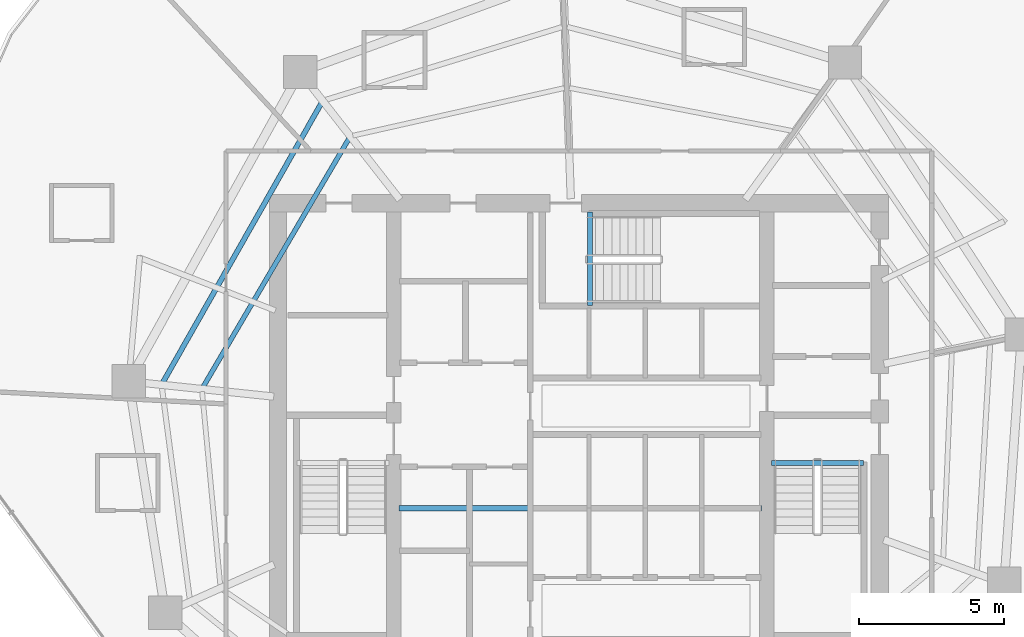
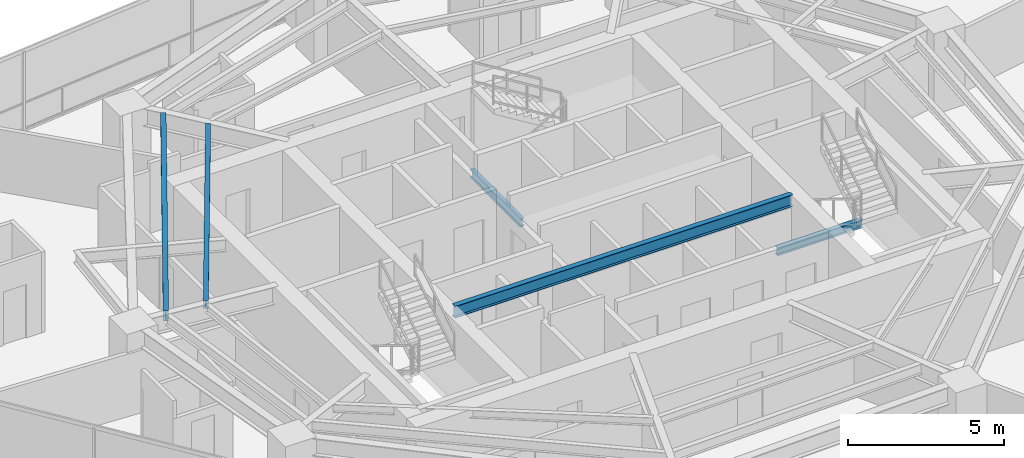
# One storey, part 9 of 30: 5 beams.
"""IFC4 building model written with IfcOpenShell, lengths in metres."""

from ifc_helpers import new_model, si_unit, direction, frame, origin, origin_2d, place, context, subcontext, project, spatial, i_section, extrude, material, material_profile, profile_set, type_object, element, save


model = new_model("IFC4")

# Units and contexts
model_context = context("Model", 3, precision=1e-05, world=origin(), true_north=direction((0.0, 1.0)))
body_context = subcontext(model_context, "Body", "Model", "MODEL_VIEW")
ifc_project = project(units=[si_unit("LENGTHUNIT", "METRE"), si_unit("AREAUNIT", "SQUARE_METRE"), si_unit("VOLUMEUNIT", "CUBIC_METRE"), si_unit("PLANEANGLEUNIT", "RADIAN"), si_unit("MASSUNIT", "GRAM", prefix="KILO")], contexts=[model_context])

# Site, building, storey
site_placement = place(None, origin())
site = spatial("IfcSite", under=ifc_project, at=site_placement, CompositionType="ELEMENT")
building_placement = place(site_placement, origin())
building = spatial("IfcBuilding", under=site, at=building_placement, Name="Qarnah Convention Tower", CompositionType="ELEMENT")
storey_placement = place(building_placement, frame((0.0, 0.0, 90.14990234375)))
storey = spatial("IfcBuildingStorey", under=building, at=storey_placement, Name="L23", CompositionType="ELEMENT", Elevation=90.14990234375)

# Beams
ifc_material = material(Name="Structural steel S355JR", Category="steel")
ifc_material_profile_1 = material_profile(ifc_material, i_section(OverallWidth=0.19189453125, OverallDepth=0.464111328125, WebThickness=0.010986328125, FlangeThickness=0.01806640625, at=origin_2d()), Name="W460X89")
ifc_profile_set_1 = profile_set([ifc_material_profile_1], Name="Structural steel S355JR")
beam_type_1 = type_object("IfcBeamType", Name="BM-CANT-W460A", PredefinedType="BEAM", material=ifc_profile_set_1)
beam_1_placement = place(storey_placement, frame((30.97998046875, 23.64990234375, 2.93798828125), z_axis=(1.0, 0.0, 0.0), x_axis=(0.0, 1.0, 0.0)))
element("IfcBeam", 1, at=beam_1_placement, inside=storey, type_object=beam_type_1, Name="L23 beam BM-L23-KC1", PredefinedType="BEAM", context=body_context, shape_type="SweptSolid", body=[
    extrude(i_section(OverallWidth=0.19189453125, OverallDepth=0.464111328125, WebThickness=0.010986328125, FlangeThickness=0.01806640625, at=origin_2d()), origin(), (0.0, 0.0, 1.0), 12.5400390625),
])
ifc_material_profile_2 = material_profile(ifc_material, i_section(OverallWidth=0.166015625, OverallDepth=0.31201171875, WebThickness=0.007080078125, FlangeThickness=0.010986328125, at=origin_2d()), Name="W310X45")
ifc_profile_set_2 = profile_set([ifc_material_profile_2], Name="Structural steel S355JR")
beam_type_2 = type_object("IfcBeamType", Name="BM-JST-W310", PredefinedType="JOIST", material=ifc_profile_set_2)
beam_2_placement = place(storey_placement, frame((43.860107421875, 25.217041015625, -0.156005859375), z_axis=(1.0, 0.0, 0.0), x_axis=(0.0, 1.0, 0.0)))
element("IfcBeam", 2, at=beam_2_placement, inside=storey, type_object=beam_type_2, Name="L23 stair landing trimmer beam BM-L23-ST2-TRM", PredefinedType="BEAM", context=body_context, shape_type="SweptSolid", body=[
    extrude(i_section(OverallWidth=0.166015625, OverallDepth=0.31201171875, WebThickness=0.007080078125, FlangeThickness=0.010986328125, at=origin_2d()), origin(), (0.0, 0.0, 1.0), 3.179931640625),
])
beam_3_placement = place(storey_placement, frame((37.5830078125, 30.659912109375, -0.156005859375), z_axis=(0.0, 1.0, 0.0), x_axis=(-1.0, 0.0, 0.0)))
element("IfcBeam", 3, at=beam_3_placement, inside=storey, type_object=beam_type_2, Name="L23 stair landing trimmer beam BM-L23-ST3-TRM", PredefinedType="BEAM", context=body_context, shape_type="SweptSolid", body=[
    extrude(i_section(OverallWidth=0.166015625, OverallDepth=0.31201171875, WebThickness=0.007080078125, FlangeThickness=0.010986328125, at=origin_2d()), origin(), (0.0, 0.0, 1.0), 3.239990234375),
])
beam_4_placement = place(storey_placement, frame((29.25390625, 36.43310546875, 3.01416015625), z_axis=(-0.506413461825, -0.862290789515, 0.0), x_axis=(0.862290789515, -0.506413461825, 0.0)))
element("IfcBeam", 4, at=beam_4_placement, inside=storey, type_object=beam_type_2, Name="L23 joist BM-L23-IJST-04", PredefinedType="JOIST", context=body_context, shape_type="SweptSolid", body=[
    extrude(i_section(OverallWidth=0.166015625, OverallDepth=0.31201171875, WebThickness=0.007080078125, FlangeThickness=0.010986328125, at=origin_2d()), origin(), (0.0, 0.0, 1.0), 9.956298828125),
])
ifc_material_profile_3 = material_profile(ifc_material, i_section(OverallWidth=0.177978515625, OverallDepth=0.407958984375, WebThickness=0.008056640625, FlangeThickness=0.012939453125, at=origin_2d()), Name="W410X60")
ifc_profile_set_3 = profile_set([ifc_material_profile_3], Name="Structural steel S355JR")
beam_type_3 = type_object("IfcBeamType", Name="BM-JST-W410", PredefinedType="JOIST", material=ifc_profile_set_3)
beam_5_placement = place(storey_placement, frame((28.300048828125, 37.656982421875, 2.966064453125), z_axis=(-0.493630675482, -0.869671637012, 0.0), x_axis=(0.869671637012, -0.493630675482, 0.0)))
element("IfcBeam", 5, at=beam_5_placement, inside=storey, type_object=beam_type_3, Name="L23 joist BM-L23-SJST-04", PredefinedType="JOIST", context=body_context, shape_type="SweptSolid", body=[
    extrude(i_section(OverallWidth=0.177978515625, OverallDepth=0.407958984375, WebThickness=0.008056640625, FlangeThickness=0.012939453125, at=origin_2d()), origin(), (0.0, 0.0, 1.0), 11.10986328125),
])

save(model, "model.ifc")
